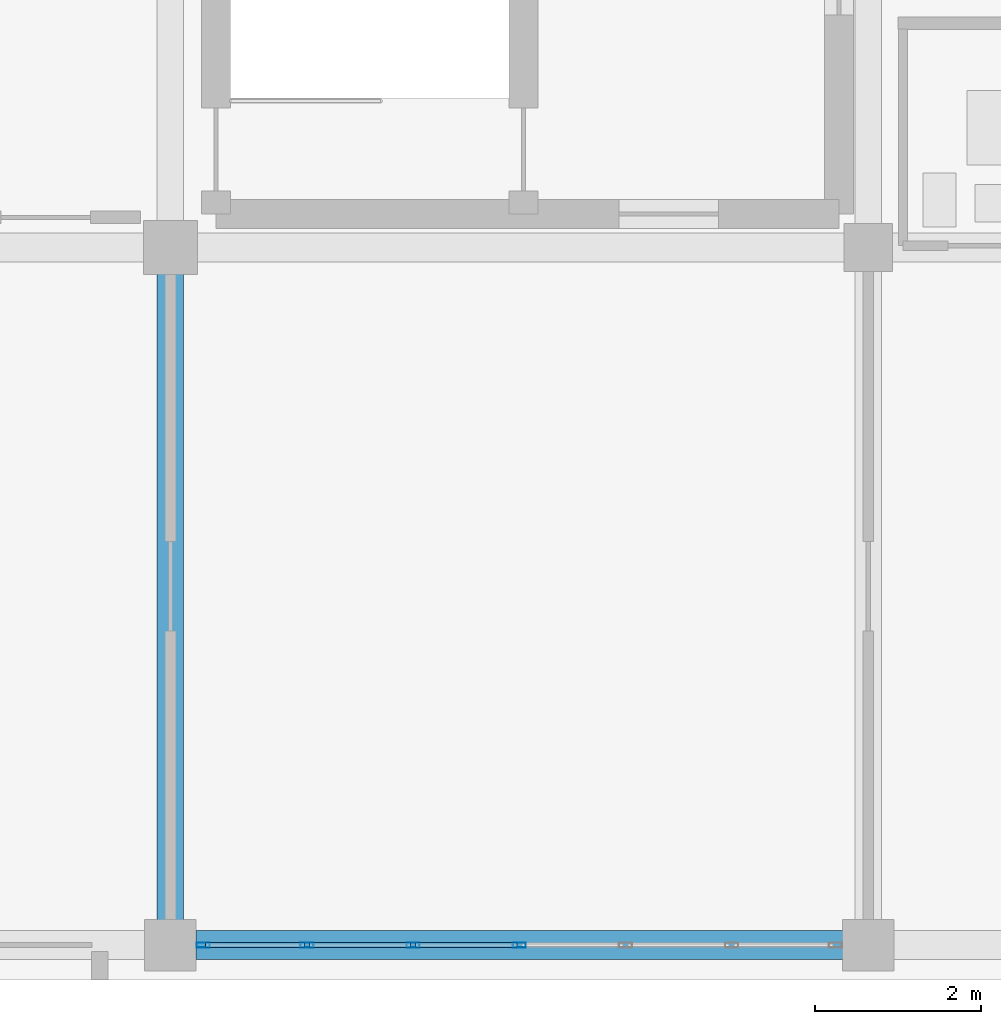
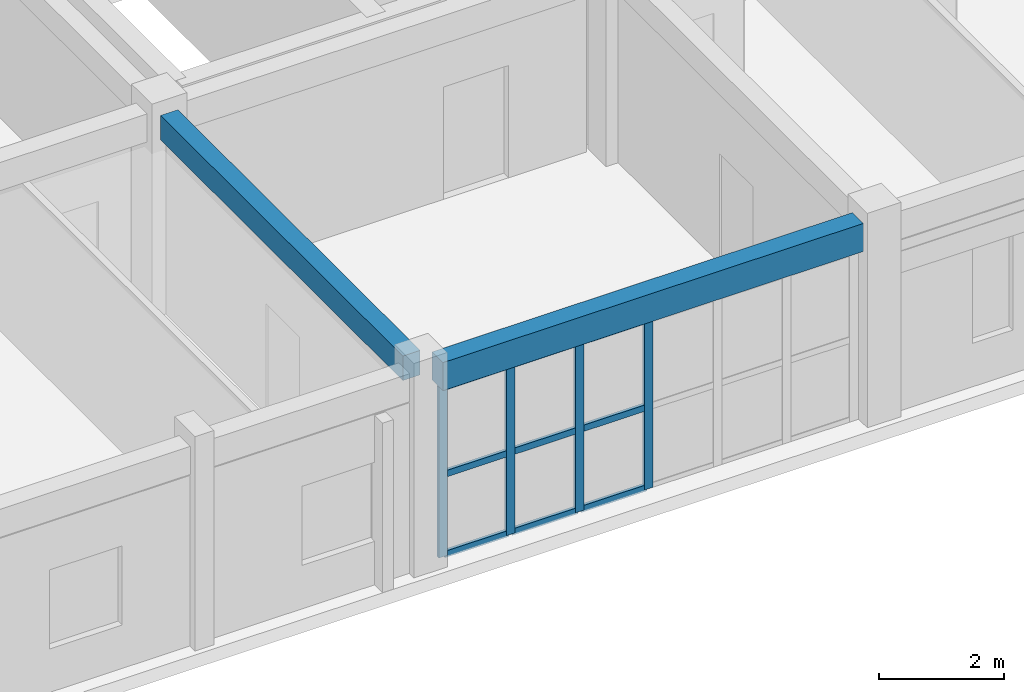
# One storey, part 21 of 81: 13 members, 2 beams, 1 element without a shape of its own.
"""IFC4 building model written with IfcOpenShell, lengths in metres."""

from ifc_helpers import new_model, si_unit, direction, frame, origin, origin_2d, place, context, subcontext, project, spatial, rectangle, hollow_rectangle, extrude, material, layer, layer_set, material_profile, profile_set, type_object, element, aggregate, save


model = new_model("IFC4")

# Units and contexts
model_context = context("Model", 3, precision=1e-05, world=origin(), true_north=direction((0.0, 1.0)))
body_context = subcontext(model_context, "Body", "Model", "MODEL_VIEW")
ifc_project = project(units=[si_unit("LENGTHUNIT", "METRE"), si_unit("AREAUNIT", "SQUARE_METRE"), si_unit("VOLUMEUNIT", "CUBIC_METRE"), si_unit("PLANEANGLEUNIT", "RADIAN"), si_unit("MASSUNIT", "GRAM", prefix="KILO")], contexts=[model_context])

# Site, building, storey
site_placement = place(None, origin())
site = spatial("IfcSite", under=ifc_project, at=site_placement, CompositionType="ELEMENT")
building_placement = place(site_placement, origin())
building = spatial("IfcBuilding", under=site, at=building_placement, Name="Trelvath General Hospital", CompositionType="ELEMENT")
storey_placement = place(building_placement, frame((0.0, 0.0, 24.60009765625)))
storey = spatial("IfcBuildingStorey", under=building, at=storey_placement, Name="L06", CompositionType="ELEMENT", Elevation=24.60009765625)

# Beams
ifc_material_1 = material(Name="Concrete C35/45", Category="concrete")
ifc_material_profile_1 = material_profile(ifc_material_1, rectangle(XDim=0.320068359375, YDim=0.47998046875, at=origin_2d()), Name="RCB320x480")
ifc_profile_set_1 = profile_set([ifc_material_profile_1], Name="Concrete C35/45")
beam_type_1 = type_object("IfcBeamType", Name="Beam RC320x480", PredefinedType="BEAM", material=ifc_profile_set_1)
beam_1_placement = place(storey_placement, frame((92.39990234375, 0.304931640625, 3.679931640625), z_axis=(0.0, 1.0, 0.0), x_axis=(-1.0, 0.0, 0.0)))
element("IfcBeam", 1, at=beam_1_placement, inside=storey, type_object=beam_type_1, Name="Grid Beam BY-611A", PredefinedType="BEAM", context=body_context, shape_type="SweptSolid", body=[
    extrude(rectangle(XDim=0.320068359375, YDim=0.47998046875, at=origin_2d()), origin(), (0.0, 0.0, 1.0), 7.775146484375),
])
ifc_material_2 = material(Name="Concrete C35/45", Category="concrete")
ifc_material_profile_2 = material_profile(ifc_material_2, rectangle(XDim=0.35009765625, YDim=0.550048828125, at=origin_2d()), Name="RCB350x550")
ifc_profile_set_2 = profile_set([ifc_material_profile_2], Name="Concrete C35/45")
beam_type_2 = type_object("IfcBeamType", Name="Beam RC350x550", PredefinedType="BEAM", material=ifc_profile_set_2)
beam_2_placement = place(storey_placement, frame((92.705078125, 0.0, 3.64501953125), z_axis=(1.0, 0.0, 0.0), x_axis=(0.0, 1.0, 0.0)))
element("IfcBeam", 2, at=beam_2_placement, inside=storey, type_object=beam_type_2, Name="Grid Beam BX-611A", PredefinedType="BEAM", context=body_context, shape_type="SweptSolid", body=[
    extrude(rectangle(XDim=0.35009765625, YDim=0.550048828125, at=origin_2d()), origin(), (0.0, 0.0, 1.0), 7.7900390625),
])

# Curtain wall, members
ifc_material_3 = material(Name="Anodised aluminium and low-E glass", Category="aluminium")
ifc_layer = layer(ifc_material_3, 0.14990234375)
ifc_layer_set = layer_set([ifc_layer], Name="Anodised aluminium and low-E glass")
curtain_wall_type = type_object("IfcCurtainWallType", Name="CW Facade 767 334 15", PredefinedType="USERDEFINED", material=ifc_layer_set)
curtain_wall_placement = place(storey_placement, origin())
curtain_wall = element("IfcCurtainWall", 3, at=curtain_wall_placement, inside=storey, type_object=curtain_wall_type, Name="Facade Curtain Wall CW-082", ObjectType="Unitised Glazed Curtain Wall", PredefinedType="USERDEFINED")
ifc_material_4 = material(Name="Anodised aluminium", Category="aluminium")
ifc_material_profile_3 = material_profile(ifc_material_4, hollow_rectangle(XDim=0.06005859375, YDim=0.159912109375, WallThickness=0.00390625, at=origin_2d()), Name="RHS60x160x4")
ifc_profile_set_3 = profile_set([ifc_material_profile_3], Name="Anodised aluminium")
member_type_1 = type_object("IfcMemberType", Name="CurtainMullion 60x160", PredefinedType="MULLION", material=ifc_profile_set_3)
member_1_placement = place(storey_placement, frame((96.60009765625, 0.0, 0.0), z_axis=(0.0, 0.0, 1.0), x_axis=(0.0, -1.0, 0.0)))
member_1 = element("IfcMember", 4, at=member_1_placement, type_object=member_type_1, Name="CW-082 mullion 4", PredefinedType="MULLION", context=body_context, shape_type="SweptSolid", body=[
    extrude(hollow_rectangle(XDim=0.06005859375, YDim=0.159912109375, WallThickness=0.00390625, at=origin_2d()), origin(), (0.0, 0.0, 1.0), 3.33984375),
])
member_2_placement = place(storey_placement, frame((95.32177734375, 0.0, 0.0), z_axis=(0.0, 0.0, 1.0), x_axis=(0.0, -1.0, 0.0)))
member_2 = element("IfcMember", 5, at=member_2_placement, type_object=member_type_1, Name="CW-082 mullion 5", PredefinedType="MULLION", context=body_context, shape_type="SweptSolid", body=[
    extrude(hollow_rectangle(XDim=0.06005859375, YDim=0.159912109375, WallThickness=0.00390625, at=origin_2d()), origin(), (0.0, 0.0, 1.0), 3.33984375),
])
member_3_placement = place(storey_placement, frame((94.043212890625, 0.0, 0.0), z_axis=(0.0, 0.0, 1.0), x_axis=(0.0, -1.0, 0.0)))
member_3 = element("IfcMember", 6, at=member_3_placement, type_object=member_type_1, Name="CW-082 mullion 6", PredefinedType="MULLION", context=body_context, shape_type="SweptSolid", body=[
    extrude(hollow_rectangle(XDim=0.06005859375, YDim=0.159912109375, WallThickness=0.00390625, at=origin_2d()), origin(), (0.0, 0.0, 1.0), 3.33984375),
])
member_4_placement = place(storey_placement, frame((92.794921875, 0.0, 0.0), z_axis=(0.0, 0.0, 1.0), x_axis=(0.0, -1.0, 0.0)))
member_4 = element("IfcMember", 7, at=member_4_placement, type_object=member_type_1, Name="CW-082 mullion 7", PredefinedType="MULLION", context=body_context, shape_type="SweptSolid", body=[
    extrude(hollow_rectangle(XDim=0.06005859375, YDim=0.159912109375, WallThickness=0.00390625, at=origin_2d()), origin(), (0.0, 0.0, 1.0), 3.33984375),
])
ifc_material_5 = material(Name="Anodised aluminium", Category="aluminium")
ifc_material_profile_4 = material_profile(ifc_material_5, hollow_rectangle(XDim=0.06005859375, YDim=0.125, WallThickness=0.00390625, at=origin_2d()), Name="RHS60x125x4")
ifc_profile_set_4 = profile_set([ifc_material_profile_4], Name="Anodised aluminium")
member_type_2 = type_object("IfcMemberType", Name="CurtainTransom 60x125", PredefinedType="USERDEFINED", material=ifc_profile_set_4)
member_5_placement = place(storey_placement, frame((96.570068359375, 0.0, 0.02978515625), z_axis=(-1.0, 0.0, 0.0), x_axis=(0.0, -1.0, 0.0)))
member_5 = element("IfcMember", 8, at=member_5_placement, type_object=member_type_2, Name="CW-082 transom 4.1", ObjectType="TRANSOM", PredefinedType="USERDEFINED", context=body_context, shape_type="SweptSolid", body=[
    extrude(hollow_rectangle(XDim=0.06005859375, YDim=0.125, WallThickness=0.00390625, at=origin_2d()), origin(), (0.0, 0.0, 1.0), 1.218505859375),
])
member_6_placement = place(storey_placement, frame((96.570068359375, 0.0, 1.602783203125), z_axis=(-1.0, 0.0, 0.0), x_axis=(0.0, -1.0, 0.0)))
member_6 = element("IfcMember", 9, at=member_6_placement, type_object=member_type_2, Name="CW-082 transom 4.2", ObjectType="TRANSOM", PredefinedType="USERDEFINED", context=body_context, shape_type="SweptSolid", body=[
    extrude(hollow_rectangle(XDim=0.06005859375, YDim=0.125, WallThickness=0.00390625, at=origin_2d()), origin(), (0.0, 0.0, 1.0), 1.218505859375),
])
member_7_placement = place(storey_placement, frame((96.570068359375, 0.0, 3.309814453125), z_axis=(-1.0, 0.0, 0.0), x_axis=(0.0, -1.0, 0.0)))
member_7 = element("IfcMember", 10, at=member_7_placement, type_object=member_type_2, Name="CW-082 transom 4.3", ObjectType="TRANSOM", PredefinedType="USERDEFINED", context=body_context, shape_type="SweptSolid", body=[
    extrude(hollow_rectangle(XDim=0.06005859375, YDim=0.125, WallThickness=0.00390625, at=origin_2d()), origin(), (0.0, 0.0, 1.0), 1.218505859375),
])
member_8_placement = place(storey_placement, frame((95.291748046875, 0.0, 0.02978515625), z_axis=(-1.0, 0.0, 0.0), x_axis=(0.0, -1.0, 0.0)))
member_8 = element("IfcMember", 11, at=member_8_placement, type_object=member_type_2, Name="CW-082 transom 5.1", ObjectType="TRANSOM", PredefinedType="USERDEFINED", context=body_context, shape_type="SweptSolid", body=[
    extrude(hollow_rectangle(XDim=0.06005859375, YDim=0.125, WallThickness=0.00390625, at=origin_2d()), origin(), (0.0, 0.0, 1.0), 1.218505859375),
])
member_9_placement = place(storey_placement, frame((95.291748046875, 0.0, 1.602783203125), z_axis=(-1.0, 0.0, 0.0), x_axis=(0.0, -1.0, 0.0)))
member_9 = element("IfcMember", 12, at=member_9_placement, type_object=member_type_2, Name="CW-082 transom 5.2", ObjectType="TRANSOM", PredefinedType="USERDEFINED", context=body_context, shape_type="SweptSolid", body=[
    extrude(hollow_rectangle(XDim=0.06005859375, YDim=0.125, WallThickness=0.00390625, at=origin_2d()), origin(), (0.0, 0.0, 1.0), 1.218505859375),
])
member_10_placement = place(storey_placement, frame((95.291748046875, 0.0, 3.309814453125), z_axis=(-1.0, 0.0, 0.0), x_axis=(0.0, -1.0, 0.0)))
member_10 = element("IfcMember", 13, at=member_10_placement, type_object=member_type_2, Name="CW-082 transom 5.3", ObjectType="TRANSOM", PredefinedType="USERDEFINED", context=body_context, shape_type="SweptSolid", body=[
    extrude(hollow_rectangle(XDim=0.06005859375, YDim=0.125, WallThickness=0.00390625, at=origin_2d()), origin(), (0.0, 0.0, 1.0), 1.218505859375),
])
member_11_placement = place(storey_placement, frame((94.013427734375, 0.0, 0.02978515625), z_axis=(-1.0, 0.0, 0.0), x_axis=(0.0, -1.0, 0.0)))
member_11 = element("IfcMember", 14, at=member_11_placement, type_object=member_type_2, Name="CW-082 transom 6.1", ObjectType="TRANSOM", PredefinedType="USERDEFINED", context=body_context, shape_type="SweptSolid", body=[
    extrude(hollow_rectangle(XDim=0.06005859375, YDim=0.125, WallThickness=0.00390625, at=origin_2d()), origin(), (0.0, 0.0, 1.0), 1.1884765625),
])
member_12_placement = place(storey_placement, frame((94.013427734375, 0.0, 1.602783203125), z_axis=(-1.0, 0.0, 0.0), x_axis=(0.0, -1.0, 0.0)))
member_12 = element("IfcMember", 15, at=member_12_placement, type_object=member_type_2, Name="CW-082 transom 6.2", ObjectType="TRANSOM", PredefinedType="USERDEFINED", context=body_context, shape_type="SweptSolid", body=[
    extrude(hollow_rectangle(XDim=0.06005859375, YDim=0.125, WallThickness=0.00390625, at=origin_2d()), origin(), (0.0, 0.0, 1.0), 1.1884765625),
])
member_13_placement = place(storey_placement, frame((94.013427734375, 0.0, 3.309814453125), z_axis=(-1.0, 0.0, 0.0), x_axis=(0.0, -1.0, 0.0)))
member_13 = element("IfcMember", 16, at=member_13_placement, type_object=member_type_2, Name="CW-082 transom 6.3", ObjectType="TRANSOM", PredefinedType="USERDEFINED", context=body_context, shape_type="SweptSolid", body=[
    extrude(hollow_rectangle(XDim=0.06005859375, YDim=0.125, WallThickness=0.00390625, at=origin_2d()), origin(), (0.0, 0.0, 1.0), 1.1884765625),
])
aggregate(curtain_wall, [member_1, member_2, member_3, member_4, member_5, member_6, member_7, member_8, member_9, member_10, member_11, member_12, member_13])

save(model, "model.ifc")
